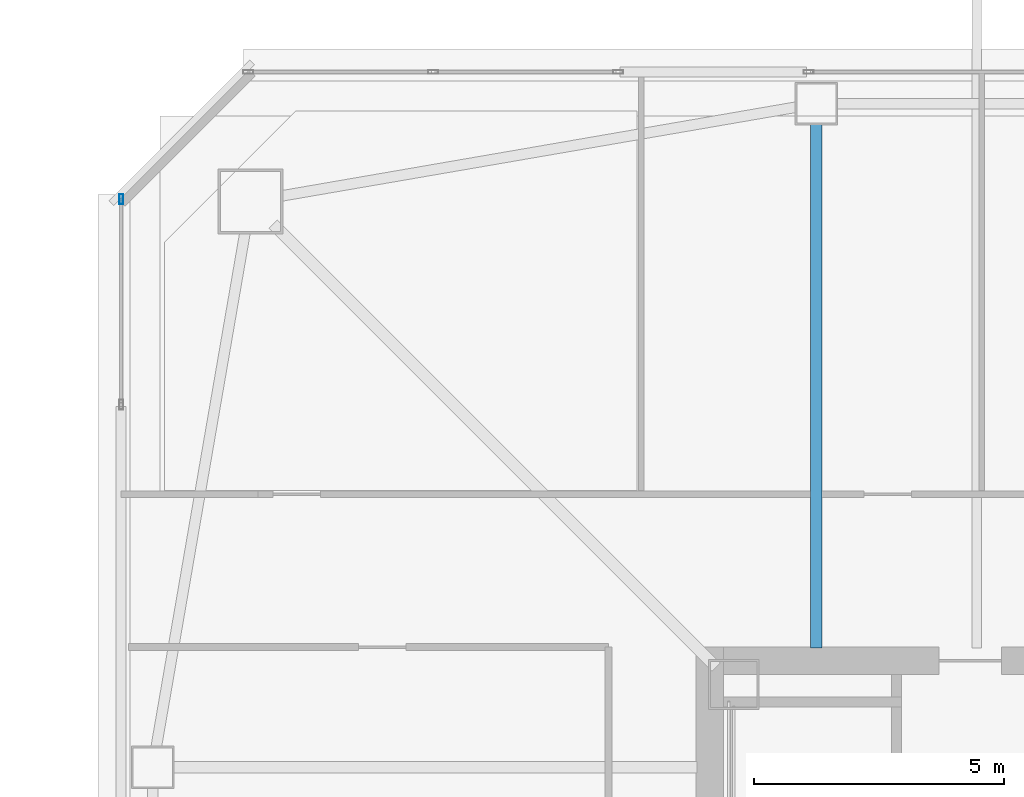
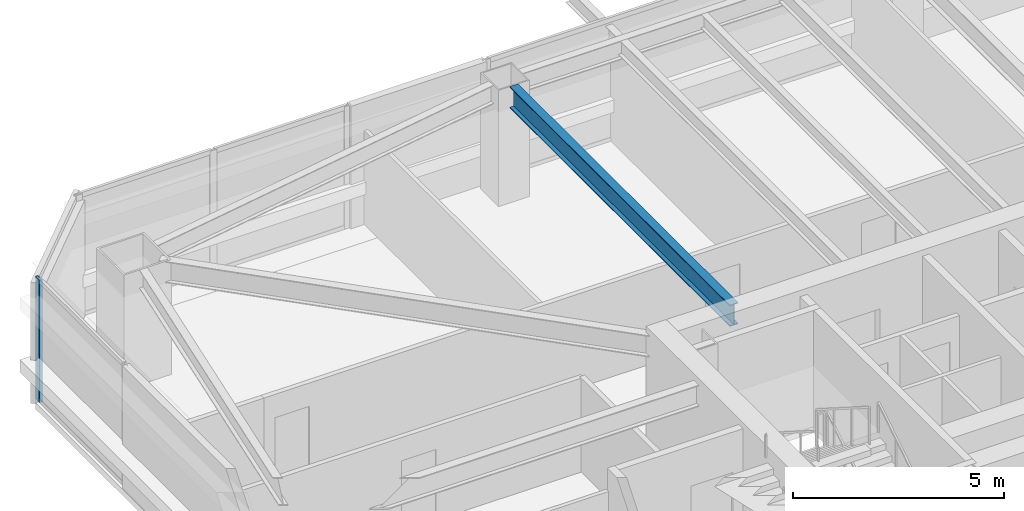
# One storey, part 11 of 46: 1 beam, 1 member, 1 element without a shape of its own.
"""IFC4 building model written with IfcOpenShell, lengths in metres."""

import ifcopenshell
import ifcopenshell.guid

model = None  # the IFC model being written
_history = None  # IfcOwnerHistory: only IFC2X3 demands one
_inside = {}  # id of a spatial element -> (the spatial element, [elements in it])
_under = {}  # id of a project, library or spatial element -> (it, [spatial elements below it])
_declared = {}  # id of a project -> (the project, [libraries it declares])
_typed = {}  # id of a type object -> (the type object, [elements of that type])
_made_of = {}  # id of a material, layer set ... -> (it, [elements and type objects made of it])


def new_model(schema):
    """Start an empty IFC model of exactly this schema.

    Asked for "IFC4X3", IfcOpenShell would pick the latest addendum, in which some entities
    have other attributes; the version numbers below select the first issue.
    IFC2X3 requires an IfcOwnerHistory on every rooted entity: one is made here for all.
    """
    global model, _history
    if schema == "IFC4X3":
        model = ifcopenshell.file(schema_version=(4, 3, 0, 0))
    else:
        model = ifcopenshell.file(schema=schema)
    _inside.clear()
    _under.clear()
    _declared.clear()
    _typed.clear()
    _made_of.clear()
    _history = None
    if model.schema == "IFC2X3":
        org = make("IfcOrganization", Name="unknown")
        user = make(
            "IfcPersonAndOrganization",
            ThePerson=make("IfcPerson", FamilyName="unknown"),
            TheOrganization=org,
        )
        app = make(
            "IfcApplication",
            ApplicationDeveloper=org,
            Version="unknown",
            ApplicationFullName="unknown",
            ApplicationIdentifier="unknown",
        )
        _history = make(
            "IfcOwnerHistory",
            OwningUser=user,
            OwningApplication=app,
            ChangeAction="ADDED",
            CreationDate=0,
        )
    return model


def make(cls, **values):
    """One entity of the class cls with the attributes given. An attribute that is None is left unset."""
    return model.create_entity(
        cls, **{name: value for name, value in values.items() if value is not None}
    )


def rooted(cls, **values):
    """An entity with a GlobalId (a new one), such as an element, a storey or a relation."""
    return make(cls, GlobalId=ifcopenshell.guid.new(), OwnerHistory=_history, **values)


def si_unit(unit_type, name, prefix=None):
    """IfcSIUnit, for example si_unit("LENGTHUNIT", "METRE", prefix="MILLI")."""
    return make("IfcSIUnit", UnitType=unit_type, Prefix=prefix, Name=name)


def assignment(units):
    """IfcUnitAssignment: the units of a project."""
    return None if units is None else make("IfcUnitAssignment", Units=units)


def point(xyz):
    """IfcCartesianPoint."""
    return None if xyz is None else make("IfcCartesianPoint", Coordinates=xyz)


def direction(xyz):
    """IfcDirection."""
    return None if xyz is None else make("IfcDirection", DirectionRatios=xyz)


def frame(location, z_axis=None, x_axis=None):
    """IfcAxis2Placement3D, a coordinate frame: its origin and axes. An axis left out is left unset."""
    return make(
        "IfcAxis2Placement3D",
        Location=point(location),
        Axis=direction(z_axis),
        RefDirection=direction(x_axis),
    )


def frame_2d(location, x_axis=None):
    """IfcAxis2Placement2D, a coordinate frame in the plane: its origin and x axis."""
    return make(
        "IfcAxis2Placement2D", Location=point(location), RefDirection=direction(x_axis)
    )


def origin():
    """The frame at (0, 0, 0) with its axes left unset."""
    return frame((0.0, 0.0, 0.0))


def origin_2d():
    """The frame at (0, 0) in the plane with its x axis left unset."""
    return frame_2d((0.0, 0.0))


def place(relative_to, where):
    """IfcLocalPlacement: puts the frame where relative to a parent placement (None: the world)."""
    return make(
        "IfcLocalPlacement", PlacementRelTo=relative_to, RelativePlacement=where
    )


def context(
    kind, dimensions, precision=None, world=None, true_north=None, identifier=None
):
    """IfcGeometricRepresentationContext, for example the 3D "Model" context."""
    return make(
        "IfcGeometricRepresentationContext",
        ContextIdentifier=identifier,
        ContextType=kind,
        CoordinateSpaceDimension=dimensions,
        Precision=precision,
        WorldCoordinateSystem=world,
        TrueNorth=true_north,
    )


def subcontext(parent, identifier, kind, view, scale=None):
    """IfcGeometricRepresentationSubContext, for example "Body" below "Model"."""
    return make(
        "IfcGeometricRepresentationSubContext",
        ContextIdentifier=identifier,
        ContextType=kind,
        ParentContext=parent,
        TargetScale=scale,
        TargetView=view,
    )


def project(units=None, contexts=None):
    """IfcProject with its units and contexts."""
    return rooted(
        "IfcProject",
        Name="project",
        RepresentationContexts=contexts,
        UnitsInContext=assignment(units),
    )


def spatial(cls, under=None, at=None, **own):
    """A site, building, storey or space (cls), placed at a placement, below another one or the project."""
    s = rooted(cls, ObjectPlacement=at, **own)
    if under is not None:
        _under.setdefault(under.id(), (under, []))[1].append(s)
    return s


def profile(cls, at=None, kind="AREA", **sizes):
    """A parametric profile (cls). Its sizes go by their IFC names, for example OverallWidth=200.0."""
    return make(cls, ProfileType=kind, Position=at, **sizes)


def hollow_rectangle(**sizes):
    """IfcRectangleHollowProfileDef."""
    return profile("IfcRectangleHollowProfileDef", **sizes)


def i_section(**sizes):
    """IfcIShapeProfileDef."""
    return profile("IfcIShapeProfileDef", **sizes)


def extrude(swept, where, along, depth):
    """IfcExtrudedAreaSolid: the profile swept, set in the frame where, extruded along a direction by depth."""
    return make(
        "IfcExtrudedAreaSolid",
        SweptArea=swept,
        Position=where,
        ExtrudedDirection=direction(along),
        Depth=depth,
    )


def shape(context_of_items, identifier, shape_type, items):
    """IfcShapeRepresentation: the items that make up one representation, for example the "Body"."""
    return make(
        "IfcShapeRepresentation",
        ContextOfItems=context_of_items,
        RepresentationIdentifier=identifier,
        RepresentationType=shape_type,
        Items=items,
    )


def material(Name=None, Category=None):
    """IfcMaterial."""
    return make("IfcMaterial", Name=Name, Category=Category)


def material_profile(
    of_material, cross_section, Name=None, Category=None, Priority=None
):
    """IfcMaterialProfile: a cross section and its material."""
    return make(
        "IfcMaterialProfile",
        Name=Name,
        Material=of_material,
        Profile=cross_section,
        Priority=Priority,
        Category=Category,
    )


def profile_set(profiles, Name=None, composite=None):
    """IfcMaterialProfileSet."""
    return make(
        "IfcMaterialProfileSet",
        Name=Name,
        MaterialProfiles=profiles,
        CompositeProfile=composite,
    )


def made_of(thing, what):
    """Note that an element or type object is made of a material, layer set ...; save() writes the relation."""
    if what is not None:
        _made_of.setdefault(what.id(), (what, []))[1].append(thing)
    return thing


def type_object(cls, material=None, **own):
    """A type object (cls), such as IfcWallType, which elements share."""
    return made_of(rooted(cls, **own), material)


def element(
    cls,
    number,
    at=None,
    inside=None,
    cuts=None,
    type_object=None,
    material=None,
    context=None,
    identifier="Body",
    shape_type=None,
    held_by="IfcProductDefinitionShape",
    body=None,
    shapes=None,
    **own,
):
    """One element of the class cls, such as IfcWall. Its Tag is "e" and its number.

    at: its placement. inside: the storey or other place that contains it. cuts: it is an
    opening in that element (IfcRelVoidsElement). A single representation is given by context,
    identifier, shape_type and body (its items); several are given by shapes. held_by: the class
    of the entity that holds the representations. save() writes the other relations.
    """
    e = rooted(cls, Tag="e%d" % number, ObjectPlacement=at, **own)
    if body is not None:
        shapes = [shape(context, identifier, shape_type, body)]
    if shapes is not None:
        e.Representation = make(held_by, Representations=shapes)
    if inside is not None:
        _inside.setdefault(inside.id(), (inside, []))[1].append(e)
    if cuts is not None:
        rooted(
            "IfcRelVoidsElement", RelatingBuildingElement=cuts, RelatedOpeningElement=e
        )
    if type_object is not None:
        _typed.setdefault(type_object.id(), (type_object, []))[1].append(e)
    return made_of(e, material)


def aggregate(whole, parts):
    """IfcRelAggregates: a whole, such as a stair, and the parts it consists of."""
    return rooted("IfcRelAggregates", RelatingObject=whole, RelatedObjects=parts)


def save(model, path):
    """Write the relations noted so far, then the file.

    IfcRelAggregates (storeys below a building ...), IfcRelContainedInSpatialStructure (elements
    in a storey), IfcRelDefinesByType, IfcRelAssociatesMaterial and IfcRelDeclares: one each for
    every whole, place, type object, material and project.
    """
    for whole, parts in _under.values():
        aggregate(whole, parts)
    for where, things in _inside.values():
        rooted(
            "IfcRelContainedInSpatialStructure",
            RelatedElements=things,
            RelatingStructure=where,
        )
    for kind, things in _typed.values():
        rooted("IfcRelDefinesByType", RelatedObjects=things, RelatingType=kind)
    for what, things in _made_of.values():
        rooted("IfcRelAssociatesMaterial", RelatedObjects=things, RelatingMaterial=what)
    for by, libraries in _declared.values():
        rooted("IfcRelDeclares", RelatingContext=by, RelatedDefinitions=libraries)
    model.write(path)


model = new_model("IFC4")

# Units and contexts
model_context = context("Model", 3, precision=1e-05, world=origin(), true_north=direction((0.0, 1.0)))
body_context = subcontext(model_context, "Body", "Model", "MODEL_VIEW")
ifc_project = project(units=[si_unit("LENGTHUNIT", "METRE"), si_unit("AREAUNIT", "SQUARE_METRE"), si_unit("VOLUMEUNIT", "CUBIC_METRE"), si_unit("PLANEANGLEUNIT", "RADIAN"), si_unit("MASSUNIT", "GRAM", prefix="KILO")], contexts=[model_context])

# Site, building, storey
site_placement = place(None, origin())
site = spatial("IfcSite", under=ifc_project, at=site_placement, CompositionType="ELEMENT")
building_placement = place(site_placement, origin())
building = spatial("IfcBuilding", under=site, at=building_placement, Name="Tashvorn Skyway Center", CompositionType="ELEMENT")
storey_placement = place(building_placement, frame((0.0, 0.0, 132.14990234375)))
storey = spatial("IfcBuildingStorey", under=building, at=storey_placement, Name="L35", CompositionType="ELEMENT", Elevation=132.14990234375)

# Beam
ifc_material_1 = material(Name="Steel ASTM A992 Grade 50", Category="steel")
ifc_material_profile_1 = material_profile(ifc_material_1, i_section(OverallWidth=0.22998046875, OverallDepth=0.616943359375, WebThickness=0.01318359375, FlangeThickness=0.022216796875, at=origin_2d()), Name="W24X94")
ifc_profile_set_1 = profile_set([ifc_material_profile_1], Name="Steel ASTM A992 Grade 50")
beam_type = type_object("IfcBeamType", Name="BM-BEAM-W24X94", PredefinedType="BEAM", material=ifc_profile_set_1)
beam_placement = place(storey_placement, frame((36.60009765625, 50.22998046875, 3.0615234375), z_axis=(0.0, -1.0, 0.0), x_axis=(1.0, 0.0, 0.0)))
element("IfcBeam", 1, at=beam_placement, inside=storey, type_object=beam_type, Name="Tower 1 L35 Primary Floor Girder FC-N2", PredefinedType="BEAM", context=body_context, shape_type="SweptSolid", body=[
    extrude(i_section(OverallWidth=0.22998046875, OverallDepth=0.616943359375, WebThickness=0.01318359375, FlangeThickness=0.022216796875, at=origin_2d()), origin(), (0.0, 0.0, 1.0), 10.449951171875),
])

# Curtain wall, member
ifc_material_2 = material(Name="Thermally broken bronze-anodized aluminium 6063-T6", Category="aluminium")
curtain_wall_type = type_object("IfcCurtainWallType", Name="CW-CW-Z3", PredefinedType="NOTDEFINED", material=ifc_material_2)
curtain_wall_placement = place(storey_placement, origin())
curtain_wall = element("IfcCurtainWall", 2, at=curtain_wall_placement, inside=storey, type_object=curtain_wall_type, Name="Tower 1 L35 West Curtain Wall R Glazing Group 1", PredefinedType="NOTDEFINED")
ifc_material_profile_2 = material_profile(ifc_material_2, hollow_rectangle(XDim=0.074951171875, YDim=0.199951171875, WallThickness=0.00439453125, at=origin_2d()), Name="ALU-MULL-75x200")
ifc_profile_set_2 = profile_set([ifc_material_profile_2], Name="Thermally broken bronze-anodized aluminium 6063-T6")
member_type = type_object("IfcMemberType", Name="CWM-CW-Z3", PredefinedType="MULLION", material=ifc_profile_set_2)
member_placement = place(storey_placement, frame((22.719970703125, 48.742431640625, 0.0), z_axis=(0.0, 0.0, 1.0), x_axis=(-1.0, 0.0, 0.0)))
member = element("IfcMember", 3, at=member_placement, type_object=member_type, Name="CW-Z3 mullion 2", PredefinedType="MULLION", context=body_context, shape_type="SweptSolid", body=[
    extrude(hollow_rectangle(XDim=0.074951171875, YDim=0.199951171875, WallThickness=0.00439453125, at=origin_2d()), origin(), (0.0, 0.0, 1.0), 3.550048828125),
])
aggregate(curtain_wall, [member])

save(model, "model.ifc")
